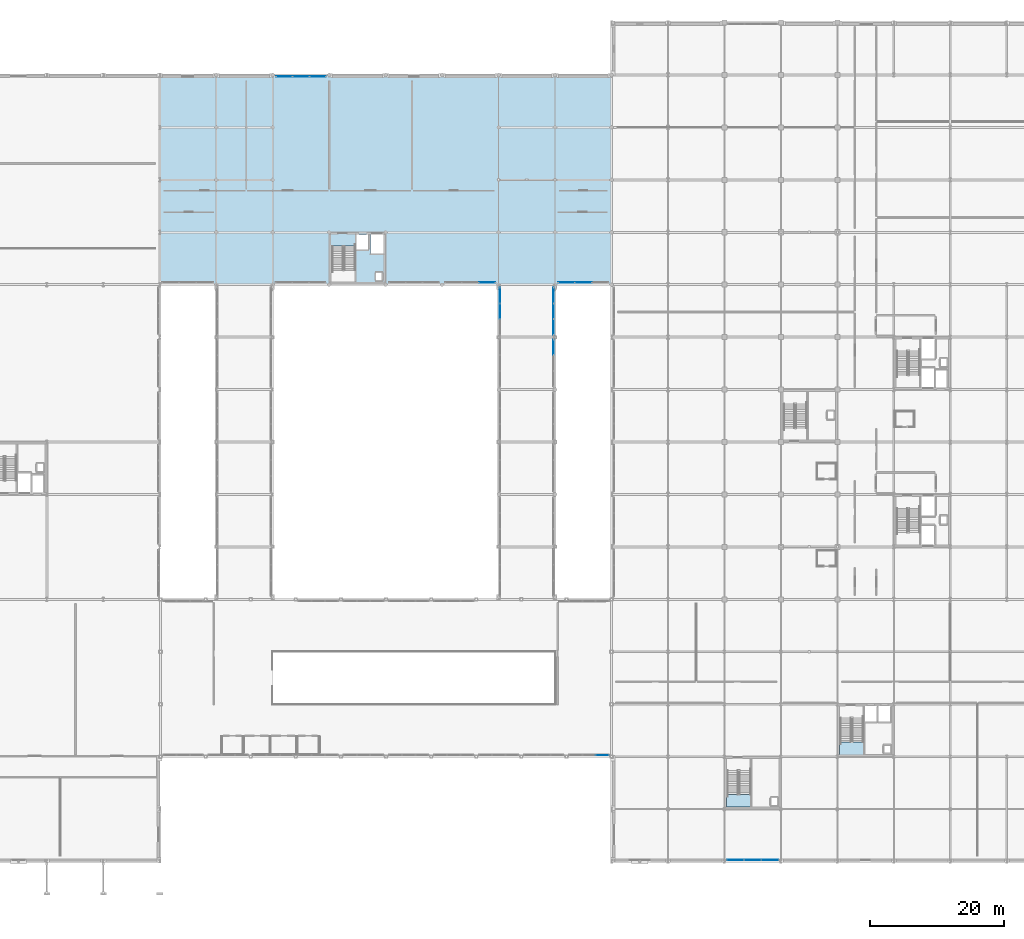
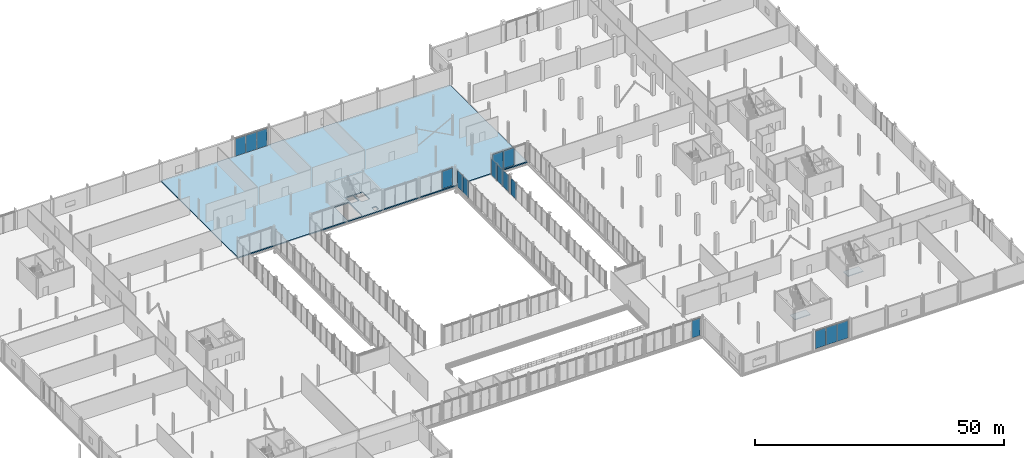
# One storey, part 71 of 105: 16 plates, 3 slabs, 10 elements without a shape of their own.
"""IFC4 building model written with IfcOpenShell, lengths in metres."""

from ifc_helpers import new_model, si_unit, direction, frame, origin, origin_2d, place, context, subcontext, project, spatial, polyline, rectangle, outline, extrude, material, layer, layer_set, type_object, element, aggregate, save


model = new_model("IFC4")

# Units and contexts
model_context = context("Model", 3, precision=1e-05, world=origin(), true_north=direction((0.0, 1.0)))
body_context = subcontext(model_context, "Body", "Model", "MODEL_VIEW")
ifc_project = project(units=[si_unit("LENGTHUNIT", "METRE"), si_unit("AREAUNIT", "SQUARE_METRE"), si_unit("VOLUMEUNIT", "CUBIC_METRE"), si_unit("PLANEANGLEUNIT", "RADIAN"), si_unit("MASSUNIT", "GRAM", prefix="KILO")], contexts=[model_context])

# Site, building, storey
site_placement = place(None, origin())
site = spatial("IfcSite", under=ifc_project, at=site_placement, CompositionType="ELEMENT")
building_placement = place(site_placement, origin())
building = spatial("IfcBuilding", under=site, at=building_placement, Name="Nabrawat Pavilion Hospital", CompositionType="ELEMENT")
storey_placement = place(building_placement, frame((0.0, 0.0, 5.10009765625)))
storey = spatial("IfcBuildingStorey", under=building, at=storey_placement, Name="L01", CompositionType="ELEMENT", Elevation=5.10009765625)

# Curtain wall, plates
ifc_material_1 = material(Name="Anodised Aluminium", Category="aluminium")
curtain_wall_type_1 = type_object("IfcCurtainWallType", Name="Courtyard Link Bridge Glazed Curtain Wall", PredefinedType="USERDEFINED", material=ifc_material_1)
curtain_wall_1_placement = place(storey_placement, origin())
curtain_wall_1 = element("IfcCurtainWall", 1, at=curtain_wall_1_placement, inside=storey, type_object=curtain_wall_type_1, Name="L01 Courtyard Link Bridge Glazed Curtain Wall 076", ObjectType="CURTAIN WALL", PredefinedType="USERDEFINED")
ifc_material_2 = material(Name="Double-Glazed Low-E Glass", Category="glass")
ifc_layer_1 = layer(ifc_material_2, 0.031982421875, Name="Double-Glazed Low-E Glass")
ifc_layer_set_1 = layer_set([ifc_layer_1], Name="Double-Glazed Low-E Glass")
plate_type_1 = type_object("IfcPlateType", Name="Courtyard Link Bridge Glazed Curtain Wall Low-E Solar Panel 32", PredefinedType="CURTAIN_PANEL", material=ifc_layer_set_1)
plate_1_placement = place(storey_placement, frame((109.419921875, 81.851318359375, 0.06982421875), z_axis=(0.0, 0.0, 1.0), x_axis=(0.0, 1.0, 0.0)))
plate_1 = element("IfcPlate", 2, at=plate_1_placement, type_object=plate_type_1, Name="CW-BRG-01 panel 2.1", PredefinedType="CURTAIN_PANEL", context=body_context, shape_type="SweptSolid", body=[
    extrude(rectangle(XDim=2.28564453125, YDim=0.031982421875, at=origin_2d()), origin(), (0.0, 0.0, 1.0), 4.0),
])
plate_2_placement = place(storey_placement, frame((109.419921875, 84.189697265625, 0.06982421875), z_axis=(0.0, 0.0, 1.0), x_axis=(0.0, 1.0, 0.0)))
plate_2 = element("IfcPlate", 3, at=plate_2_placement, type_object=plate_type_1, Name="CW-BRG-01 panel 3.1", PredefinedType="CURTAIN_PANEL", context=body_context, shape_type="SweptSolid", body=[
    extrude(rectangle(XDim=2.250732421875, YDim=0.031982421875, at=origin_2d()), origin(), (0.0, 0.0, 1.0), 4.0),
])
aggregate(curtain_wall_1, [plate_1, plate_2])

# Curtain wall, plate
curtain_wall_2_placement = place(storey_placement, origin())
curtain_wall_2 = element("IfcCurtainWall", 4, at=curtain_wall_2_placement, inside=storey, type_object=curtain_wall_type_1, Name="L01 Courtyard Link Bridge Glazed Curtain Wall 081", ObjectType="CURTAIN WALL", PredefinedType="USERDEFINED")
plate_3_placement = place(storey_placement, frame((117.3798828125, 76.48681640625, 0.06982421875), z_axis=(0.0, 0.0, 1.0), x_axis=(0.0, 1.0, 0.0)))
plate_3 = element("IfcPlate", 5, at=plate_3_placement, type_object=plate_type_1, Name="CW-BRG-01 panel 3.1", PredefinedType="CURTAIN_PANEL", context=body_context, shape_type="SweptSolid", body=[
    extrude(rectangle(XDim=2.250732421875, YDim=0.031982421875, at=origin_2d()), origin(), (0.0, 0.0, 1.0), 4.0),
])
aggregate(curtain_wall_2, [plate_3])

# Curtain wall, plates
curtain_wall_3_placement = place(storey_placement, origin())
curtain_wall_3 = element("IfcCurtainWall", 6, at=curtain_wall_3_placement, inside=storey, type_object=curtain_wall_type_1, Name="L01 Courtyard Link Bridge Glazed Curtain Wall 082", ObjectType="CURTAIN WALL", PredefinedType="USERDEFINED")
plate_4_placement = place(storey_placement, frame((117.3798828125, 79.51318359375, 0.06982421875), z_axis=(0.0, 0.0, 1.0), x_axis=(0.0, 1.0, 0.0)))
plate_4 = element("IfcPlate", 7, at=plate_4_placement, type_object=plate_type_1, Name="CW-BRG-01 panel 1.1", PredefinedType="CURTAIN_PANEL", context=body_context, shape_type="SweptSolid", body=[
    extrude(rectangle(XDim=2.250732421875, YDim=0.031982421875, at=origin_2d()), origin(), (0.0, 0.0, 1.0), 4.0),
])
plate_5_placement = place(storey_placement, frame((117.3798828125, 81.851318359375, 0.06982421875), z_axis=(0.0, 0.0, 1.0), x_axis=(0.0, 1.0, 0.0)))
plate_5 = element("IfcPlate", 8, at=plate_5_placement, type_object=plate_type_1, Name="CW-BRG-01 panel 2.1", PredefinedType="CURTAIN_PANEL", context=body_context, shape_type="SweptSolid", body=[
    extrude(rectangle(XDim=2.28564453125, YDim=0.031982421875, at=origin_2d()), origin(), (0.0, 0.0, 1.0), 4.0),
])
plate_6_placement = place(storey_placement, frame((117.3798828125, 84.189697265625, 0.06982421875), z_axis=(0.0, 0.0, 1.0), x_axis=(0.0, 1.0, 0.0)))
plate_6 = element("IfcPlate", 9, at=plate_6_placement, type_object=plate_type_1, Name="CW-BRG-01 panel 3.1", PredefinedType="CURTAIN_PANEL", context=body_context, shape_type="SweptSolid", body=[
    extrude(rectangle(XDim=2.250732421875, YDim=0.031982421875, at=origin_2d()), origin(), (0.0, 0.0, 1.0), 4.0),
])
aggregate(curtain_wall_3, [plate_4, plate_5, plate_6])

# Slab
ifc_material_3 = material(Name="Concrete C35/45", Category="concrete")
ifc_layer_2 = layer(ifc_material_3, 0.280029296875, Name="Concrete C35/45")
ifc_layer_set_2 = layer_set([ifc_layer_2], Name="Concrete C35/45")
slab_type_1 = type_object("IfcSlabType", Name="Diagnostic Imaging Heavy Slab 280", PredefinedType="FLOOR", material=ifc_layer_set_2)
slab_1_placement = place(storey_placement, frame((0.0, 0.0, -0.280029296875)))
element("IfcSlab", 10, at=slab_1_placement, inside=storey, type_object=slab_type_1, Name="L01 Structural Floor Slab P_L01_V4", PredefinedType="FLOOR", context=body_context, shape_type="SweptSolid", body=[
    extrude(outline(polyline([(58.919921875, 85.919921875), (126.0, 85.919921875), (126.0, 117.0), (58.919921875, 117.0), (58.919921875, 85.919921875)]), holes=[polyline([(90.1201171875, 90.39990234375), (90.1201171875, 93.300048828125), (92.080078125, 93.300048828125), (92.080078125, 90.39990234375), (90.1201171875, 90.39990234375)]), polyline([(90.949951171875, 86.469970703125), (90.949951171875, 87.570068359375), (91.85009765625, 87.570068359375), (91.85009765625, 86.469970703125), (90.949951171875, 86.469970703125)]), polyline([(88.10009765625, 91.0), (88.10009765625, 93.300048828125), (89.860107421875, 93.300048828125), (89.860107421875, 91.0), (88.10009765625, 91.0)]), polyline([(84.449951171875, 91.530029296875), (87.85009765625, 91.530029296875), (87.85009765625, 86.25), (84.449951171875, 86.25), (84.449951171875, 91.530029296875)])]), origin(), (0.0, 0.0, 1.0), 0.280029296875),
])

# Curtain wall, plates
curtain_wall_type_2 = type_object("IfcCurtainWallType", Name="Emergency Concourse Glazed Screen", PredefinedType="USERDEFINED", material=ifc_material_1)
curtain_wall_4_placement = place(storey_placement, origin())
curtain_wall_4 = element("IfcCurtainWall", 11, at=curtain_wall_4_placement, inside=storey, type_object=curtain_wall_type_2, Name="L01 Emergency Concourse Glazed Screen 051", ObjectType="CURTAIN WALL", PredefinedType="USERDEFINED")
ifc_layer_3 = layer(ifc_material_2, 0.030029296875, Name="Double-Glazed Low-E Glass")
ifc_layer_set_3 = layer_set([ifc_layer_3], Name="Double-Glazed Low-E Glass")
plate_type_2 = type_object("IfcPlateType", Name="Emergency Concourse Glazed Screen Low-E Solar Panel 30", PredefinedType="CURTAIN_PANEL", material=ifc_layer_set_3)
plate_7_placement = place(storey_placement, frame((77.314208984375, 116.780029296875, 0.06982421875), z_axis=(0.0, 0.0, 1.0), x_axis=(1.0, 0.0, 0.0)))
plate_7 = element("IfcPlate", 12, at=plate_7_placement, type_object=plate_type_2, Name="CW-ED-01 panel 1.1", PredefinedType="CURTAIN_PANEL", context=body_context, shape_type="SweptSolid", body=[
    extrude(rectangle(XDim=2.3984375, YDim=0.030029296875, at=origin_2d()), origin(), (0.0, 0.0, 1.0), 4.2900390625),
])
plate_8_placement = place(storey_placement, frame((79.800048828125, 116.780029296875, 0.06982421875), z_axis=(0.0, 0.0, 1.0), x_axis=(1.0, 0.0, 0.0)))
plate_8 = element("IfcPlate", 13, at=plate_8_placement, type_object=plate_type_2, Name="CW-ED-01 panel 2.1", PredefinedType="CURTAIN_PANEL", context=body_context, shape_type="SweptSolid", body=[
    extrude(rectangle(XDim=2.433349609375, YDim=0.030029296875, at=origin_2d()), origin(), (0.0, 0.0, 1.0), 4.2900390625),
])
plate_9_placement = place(storey_placement, frame((82.285888671875, 116.780029296875, 0.06982421875), z_axis=(0.0, 0.0, 1.0), x_axis=(1.0, 0.0, 0.0)))
plate_9 = element("IfcPlate", 14, at=plate_9_placement, type_object=plate_type_2, Name="CW-ED-01 panel 3.1", PredefinedType="CURTAIN_PANEL", context=body_context, shape_type="SweptSolid", body=[
    extrude(rectangle(XDim=2.3984375, YDim=0.030029296875, at=origin_2d()), origin(), (0.0, 0.0, 1.0), 4.2900390625),
])
aggregate(curtain_wall_4, [plate_7, plate_8, plate_9])

# Curtain wall, plate
curtain_wall_type_3 = type_object("IfcCurtainWallType", Name="Healing Garden Cloister Curtain Wall", PredefinedType="USERDEFINED", material=ifc_material_1)
curtain_wall_5_placement = place(storey_placement, origin())
curtain_wall_5 = element("IfcCurtainWall", 15, at=curtain_wall_5_placement, inside=storey, type_object=curtain_wall_type_3, Name="L01 Healing Garden Cloister Curtain Wall 070", ObjectType="CURTAIN WALL", PredefinedType="USERDEFINED")
ifc_layer_4 = layer(ifc_material_2, 0.028076171875, Name="Double-Glazed Low-E Glass")
ifc_layer_set_4 = layer_set([ifc_layer_4], Name="Double-Glazed Low-E Glass")
plate_type_3 = type_object("IfcPlateType", Name="Healing Garden Cloister Curtain Wall Low-E Solar Panel 28", PredefinedType="CURTAIN_PANEL", material=ifc_layer_set_4)
plate_10_placement = place(storey_placement, frame((107.507080078125, 86.139892578125, 0.06494140625), z_axis=(0.0, 0.0, 1.0), x_axis=(1.0, 0.0, 0.0)))
plate_10 = element("IfcPlate", 16, at=plate_10_placement, type_object=plate_type_3, Name="CW-CLN-01 panel 3.1", PredefinedType="CURTAIN_PANEL", context=body_context, shape_type="SweptSolid", body=[
    extrude(rectangle(XDim=2.42578125, YDim=0.028076171875, at=origin_2d()), origin(), (0.0, 0.0, 1.0), 4.31005859375),
])
aggregate(curtain_wall_5, [plate_10])

# Curtain wall, plates
curtain_wall_6_placement = place(storey_placement, origin())
curtain_wall_6 = element("IfcCurtainWall", 17, at=curtain_wall_6_placement, inside=storey, type_object=curtain_wall_type_3, Name="L01 Healing Garden Cloister Curtain Wall 084", ObjectType="CURTAIN WALL", PredefinedType="USERDEFINED")
plate_11_placement = place(storey_placement, frame((119.29296875, 86.139892578125, 0.06494140625), z_axis=(0.0, 0.0, 1.0), x_axis=(1.0, 0.0, 0.0)))
plate_11 = element("IfcPlate", 18, at=plate_11_placement, type_object=plate_type_3, Name="CW-CLN-01 panel 1.1", PredefinedType="CURTAIN_PANEL", context=body_context, shape_type="SweptSolid", body=[
    extrude(rectangle(XDim=2.42578125, YDim=0.028076171875, at=origin_2d()), origin(), (0.0, 0.0, 1.0), 4.31005859375),
])
plate_12_placement = place(storey_placement, frame((121.800048828125, 86.139892578125, 0.06494140625), z_axis=(0.0, 0.0, 1.0), x_axis=(1.0, 0.0, 0.0)))
plate_12 = element("IfcPlate", 19, at=plate_12_placement, type_object=plate_type_3, Name="CW-CLN-01 panel 2.1", PredefinedType="CURTAIN_PANEL", context=body_context, shape_type="SweptSolid", body=[
    extrude(rectangle(XDim=2.458251953125, YDim=0.028076171875, at=origin_2d()), origin(), (0.0, 0.0, 1.0), 4.31005859375),
])
aggregate(curtain_wall_6, [plate_11, plate_12])

# Curtain wall, plate
curtain_wall_type_4 = type_object("IfcCurtainWallType", Name="Main Hall Pavilion Unitised Curtain Wall", PredefinedType="USERDEFINED", material=ifc_material_1)
curtain_wall_7_placement = place(storey_placement, origin())
curtain_wall_7 = element("IfcCurtainWall", 20, at=curtain_wall_7_placement, inside=storey, type_object=curtain_wall_type_4, Name="L01 Main Hall Pavilion Unitised Curtain Wall 042", ObjectType="CURTAIN WALL", PredefinedType="USERDEFINED")
ifc_layer_5 = layer(ifc_material_2, 0.035888671875, Name="Double-Glazed Low-E Glass")
ifc_layer_set_5 = layer_set([ifc_layer_5], Name="Double-Glazed Low-E Glass")
plate_type_4 = type_object("IfcPlateType", Name="Main Hall Pavilion Unitised Curtain Wall Low-E Solar Panel 36", PredefinedType="CURTAIN_PANEL", material=ifc_layer_set_5)
plate_13_placement = place(storey_placement, frame((124.61767578125, 15.820068359375, 0.07470703125), z_axis=(0.0, 0.0, 1.0), x_axis=(1.0, 0.0, 0.0)))
plate_13 = element("IfcPlate", 21, at=plate_13_placement, type_object=plate_type_4, Name="CW-MH-01 panel 3.1", PredefinedType="CURTAIN_PANEL", context=body_context, shape_type="SweptSolid", body=[
    extrude(rectangle(XDim=1.8779296875, YDim=0.035888671875, at=origin_2d()), origin(), (0.0, 0.0, 1.0), 4.300048828125),
])
aggregate(curtain_wall_7, [plate_13])

# Curtain wall, plates
curtain_wall_type_5 = type_object("IfcCurtainWallType", Name="Outpatient Boulevard Curtain Wall", PredefinedType="USERDEFINED", material=ifc_material_1)
curtain_wall_8_placement = place(storey_placement, origin())
curtain_wall_8 = element("IfcCurtainWall", 22, at=curtain_wall_8_placement, inside=storey, type_object=curtain_wall_type_5, Name="L01 Outpatient Boulevard Curtain Wall 085", ObjectType="CURTAIN WALL", PredefinedType="USERDEFINED")
ifc_layer_6 = layer(ifc_material_2, 0.02392578125, Name="Double-Glazed Low-E Glass")
ifc_layer_set_6 = layer_set([ifc_layer_6], Name="Double-Glazed Low-E Glass")
plate_type_5 = type_object("IfcPlateType", Name="Outpatient Boulevard Curtain Wall Low-E Solar Panel 24", PredefinedType="CURTAIN_PANEL", material=ifc_layer_set_6)
plate_14_placement = place(storey_placement, frame((144.42822265625, 0.219970703125, 0.059814453125), z_axis=(0.0, 0.0, 1.0), x_axis=(1.0, 0.0, 0.0)))
plate_14 = element("IfcPlate", 23, at=plate_14_placement, type_object=plate_type_5, Name="CW-OPC-01 panel 1.1", PredefinedType="CURTAIN_PANEL", context=body_context, shape_type="SweptSolid", body=[
    extrude(rectangle(XDim=2.49658203125, YDim=0.02392578125, at=origin_2d()), origin(), (0.0, 0.0, 1.0), 4.330078125),
])
plate_15_placement = place(storey_placement, frame((147.0, 0.219970703125, 0.059814453125), z_axis=(0.0, 0.0, 1.0), x_axis=(1.0, 0.0, 0.0)))
plate_15 = element("IfcPlate", 24, at=plate_15_placement, type_object=plate_type_5, Name="CW-OPC-01 panel 2.1", PredefinedType="CURTAIN_PANEL", context=body_context, shape_type="SweptSolid", body=[
    extrude(rectangle(XDim=2.526611328125, YDim=0.02392578125, at=origin_2d()), origin(), (0.0, 0.0, 1.0), 4.330078125),
])
plate_16_placement = place(storey_placement, frame((149.57177734375, 0.219970703125, 0.059814453125), z_axis=(0.0, 0.0, 1.0), x_axis=(1.0, 0.0, 0.0)))
plate_16 = element("IfcPlate", 25, at=plate_16_placement, type_object=plate_type_5, Name="CW-OPC-01 panel 3.1", PredefinedType="CURTAIN_PANEL", context=body_context, shape_type="SweptSolid", body=[
    extrude(rectangle(XDim=2.49658203125, YDim=0.02392578125, at=origin_2d()), origin(), (0.0, 0.0, 1.0), 4.330078125),
])
aggregate(curtain_wall_8, [plate_14, plate_15, plate_16])

# Stair, slab
stair_type = type_object("IfcStairType", Name="Core Dogleg Escape Stair Assembly", PredefinedType="HALF_TURN_STAIR", material=ifc_material_3)
stair_1_placement = place(storey_placement, origin())
stair_1 = element("IfcStair", 26, at=stair_1_placement, inside=storey, type_object=stair_type, Name="L01 Outpatient Clinics Core 4", PredefinedType="HALF_TURN_STAIR")
ifc_layer_7 = layer(ifc_material_3, 0.199951171875, Name="Concrete C35/45")
ifc_layer_set_7 = layer_set([ifc_layer_7], Name="Concrete C35/45")
slab_type_2 = type_object("IfcSlabType", Name="Reinforced Concrete Stair Half-Landing 200", PredefinedType="LANDING", material=ifc_layer_set_7)
slab_2_placement = place(storey_placement, frame((0.0, 0.0, 2.349853515625)))
slab_2 = element("IfcSlab", 27, at=slab_2_placement, type_object=slab_type_2, Name="ST-04 landing 1", PredefinedType="LANDING", context=body_context, shape_type="SweptSolid", body=[
    extrude(outline(polyline([(163.469970703125, 15.8798828125), (163.469970703125, 17.7548828125), (159.8798828125, 17.7548828125), (159.8798828125, 15.8798828125), (163.469970703125, 15.8798828125)])), origin(), (0.0, 0.0, 1.0), 0.199951171875),
])
aggregate(stair_1, [slab_2])

stair_2_placement = place(storey_placement, origin())
stair_2 = element("IfcStair", 28, at=stair_2_placement, inside=storey, type_object=stair_type, Name="L01 Outpatient West Escape Stair Core 8", PredefinedType="HALF_TURN_STAIR")
slab_3_placement = place(storey_placement, frame((0.0, 0.0, 2.349853515625)))
slab_3 = element("IfcSlab", 29, at=slab_3_placement, type_object=slab_type_2, Name="ST-08 landing 1", PredefinedType="LANDING", context=body_context, shape_type="SweptSolid", body=[
    extrude(outline(polyline([(146.669921875, 8.080078125), (146.669921875, 9.955078125), (143.080078125, 9.955078125), (143.080078125, 8.080078125), (146.669921875, 8.080078125)])), origin(), (0.0, 0.0, 1.0), 0.199951171875),
])
aggregate(stair_2, [slab_3])

save(model, "model.ifc")
